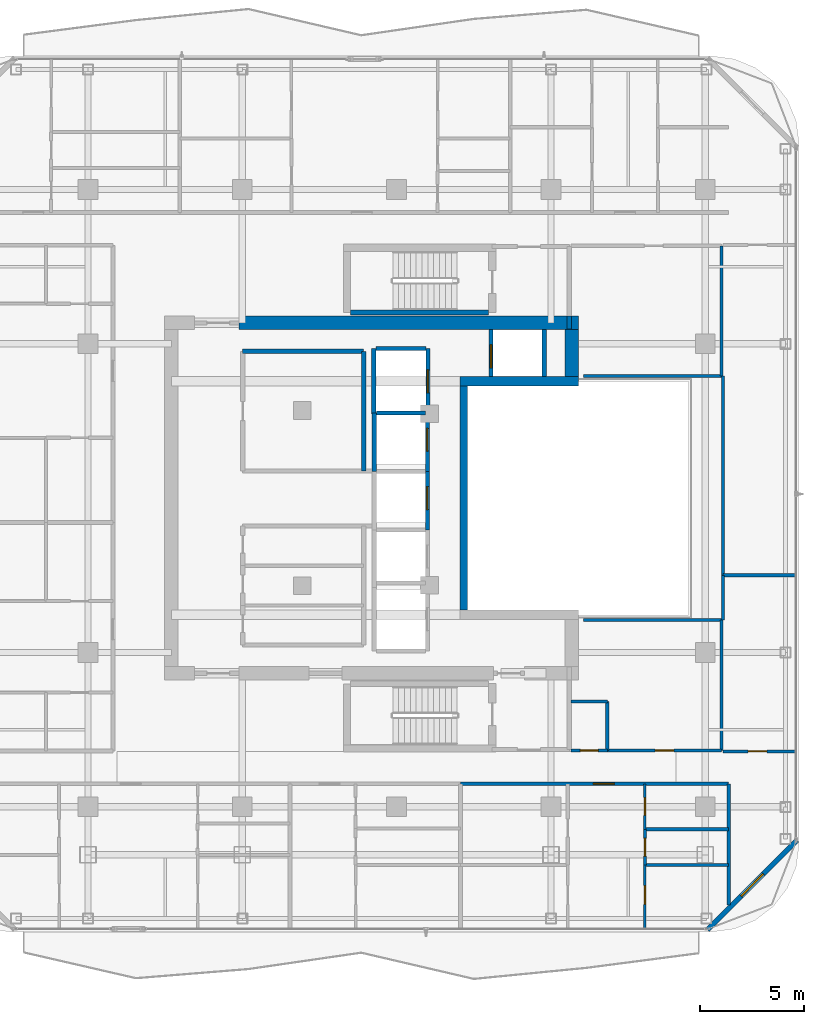
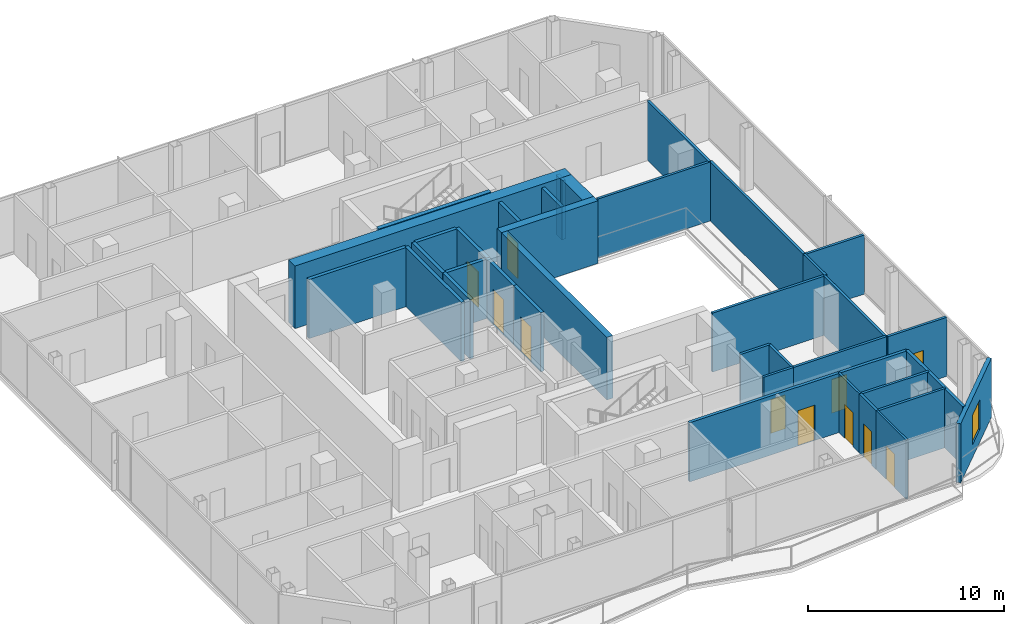
# One storey, part 19 of 26: 37 walls, 11 doors, 1 window, 12 openings.
"""IFC4 building model written with IfcOpenShell, lengths in metres."""

from ifc_helpers import new_model, si_unit, direction, frame, frame_2d, origin, place, context, subcontext, project, spatial, rectangle, extrude, material, layer, layer_set, type_object, element, fill, save


model = new_model("IFC4")

# Units and contexts
model_context = context("Model", 3, precision=1e-05, world=origin(), true_north=direction((0.0, 1.0)))
body_context = subcontext(model_context, "Body", "Model", "MODEL_VIEW")
ifc_project = project(units=[si_unit("LENGTHUNIT", "METRE"), si_unit("AREAUNIT", "SQUARE_METRE"), si_unit("VOLUMEUNIT", "CUBIC_METRE"), si_unit("PLANEANGLEUNIT", "RADIAN"), si_unit("MASSUNIT", "GRAM", prefix="KILO")], contexts=[model_context])

# Site, building, storey
site_placement = place(None, origin())
site = spatial("IfcSite", under=ifc_project, at=site_placement, CompositionType="ELEMENT")
building_placement = place(site_placement, origin())
building = spatial("IfcBuilding", under=site, at=building_placement, Name="Khorvyn Point Tower", CompositionType="ELEMENT")
storey_placement = place(building_placement, frame((0.0, 0.0, 289.800048828125)))
storey = spatial("IfcBuildingStorey", under=building, at=storey_placement, Name="L71", CompositionType="ELEMENT", Elevation=289.800048828125)

# Wall, opening, door
ifc_material_1 = material(Name="Double acoustic gypsum on twin steel stud", Category="steel")
ifc_layer_1 = layer(ifc_material_1, 0.179931640625)
ifc_layer_set_1 = layer_set([ifc_layer_1], Name="Acoustic Double-Stud Apartment Demising Wall 180")
wall_type_1 = type_object("IfcWallType", Name="Acoustic Double-Stud Apartment Demising Wall 180", PredefinedType="PARTITIONING", material=ifc_layer_set_1)
wall_1_placement = place(storey_placement, frame((3.06298828125, -13.699951171875, 0.0), z_axis=(0.0, 0.0, 1.0), x_axis=(1.0, 0.0, 0.0)))
wall_1 = element("IfcWall", 1, at=wall_1_placement, inside=storey, type_object=wall_type_1, Name="Wall", PredefinedType="PARTITIONING", context=body_context, shape_type="SweptSolid", body=[
    extrude(rectangle(XDim=12.85693359375, YDim=0.179931640625, at=frame_2d((6.428466796875, 0.0))), origin(), (0.0, 0.0, 1.0), 3.679931640625),
])
opening_1_placement = place(wall_1_placement, frame((6.372314453125, 0.0, 0.0)))
opening_1 = element("IfcOpeningElement", 2, at=opening_1_placement, cuts=wall_1, Name="Opening ID-AP60", PredefinedType="OPENING", context=body_context, shape_type="SweptSolid", body=[
    extrude(rectangle(XDim=1.0, YDim=2.199951171875, at=frame_2d((0.5, 1.10009765625))), frame((0.0, 0.099853515625, 0.0), z_axis=(0.0, -1.0, 0.0), x_axis=(1.0, 0.0, 0.0)), (0.0, 0.0, 1.0), 0.199951171875),
])
ifc_material_2 = material(Name="Engineered hardwood fire-rated leaf", Category="wood")
door_type_1 = type_object("IfcDoorType", Name="Acoustic Solid-Core Timber Apartment Entrance Door 1000x2200", OperationType="NOTDEFINED", PredefinedType="DOOR", material=ifc_material_2)
door_1_placement = place(opening_1_placement, origin())
door_1 = element("IfcDoor", 3, at=door_1_placement, inside=storey, type_object=door_type_1, Name="Door", OperationType="SINGLE_SWING_LEFT", OverallHeight=2.199951171875, OverallWidth=1.0, PredefinedType="DOOR", context=body_context, shape_type="SweptSolid", body=[
    extrude(rectangle(XDim=1.0, YDim=2.199951171875, at=frame_2d((0.5, 1.10009765625))), frame((0.0, 0.02490234375, 0.0), z_axis=(0.0, -1.0, 0.0), x_axis=(1.0, 0.0, 0.0)), (0.0, 0.0, 1.0), 0.050048828125),
])
fill(opening_1, door_1)

# Wall
wall_2_placement = place(storey_placement, frame((15.919921875, -19.510009765625, 0.0), z_axis=(0.0, 0.0, 1.0), x_axis=(0.0, 1.0, 0.0)))
element("IfcWall", 4, at=wall_2_placement, inside=storey, type_object=wall_type_1, Name="Wall", PredefinedType="PARTITIONING", context=body_context, shape_type="SweptSolid", body=[
    extrude(rectangle(XDim=5.81005859375, YDim=0.179931640625, at=frame_2d((2.905029296875, 0.0))), origin(), (0.0, 0.0, 1.0), 3.679931640625),
])

# Wall, opening, window
ifc_material_3 = material(Name="Pale anodised aluminium rainscreen on steel stud", Category="steel")
ifc_layer_2 = layer(ifc_material_3, 0.239990234375)
ifc_layer_set_2 = layer_set([ifc_layer_2], Name="Anodised Aluminium Insulated Corner Spandrel Wall 240")
wall_type_2 = type_object("IfcWallType", Name="Anodised Aluminium Insulated Corner Spandrel Wall 240", PredefinedType="SOLIDWALL", material=ifc_layer_set_2)
wall_3_placement = place(storey_placement, frame((19.1923828125, -16.40771484375, 0.0), z_axis=(0.0, 0.0, 1.0), x_axis=(-0.707106781187, -0.707106781187, 0.0)))
wall_3 = element("IfcWall", 5, at=wall_3_placement, inside=storey, type_object=wall_type_2, Name="L71 Rounded Corner Wall SE", PredefinedType="SOLIDWALL", context=body_context, shape_type="SweptSolid", body=[
    extrude(rectangle(XDim=6.059326171875, YDim=0.239990234375, at=frame_2d((3.02978515625, 0.0))), origin(), (0.0, 0.0, 1.0), 3.679931640625),
])
opening_2_placement = place(wall_3_placement, frame((2.27978515625, 0.0, 0.800048828125)))
opening_2 = element("IfcOpeningElement", 6, at=opening_2_placement, cuts=wall_3, Name="Opening WN-1518", PredefinedType="OPENING", context=body_context, shape_type="SweptSolid", body=[
    extrude(rectangle(XDim=1.5, YDim=1.85009765625, at=frame_2d((0.75, 0.925048828125))), frame((0.0, 0.1298828125, 0.0), z_axis=(0.0, -1.0, 0.0), x_axis=(1.0, 0.0, 0.0)), (0.0, 0.0, 1.0), 0.260009765625),
])
ifc_material_4 = material(Name="Anodised aluminium 6063-T6 and laminated Low-E glass", Category="aluminium")
window_type = type_object("IfcWindowType", Name="Anodised Aluminium Rounded-Corner Panoramic Window 1500x1850", PartitioningType="SINGLE_PANEL", PredefinedType="WINDOW", material=ifc_material_4)
window_placement = place(opening_2_placement, origin())
window = element("IfcWindow", 7, at=window_placement, inside=storey, type_object=window_type, Name="L71 Corner Panoramic Window SE", OverallHeight=1.85009765625, OverallWidth=1.5, PartitioningType="SINGLE_PANEL", PredefinedType="WINDOW", context=body_context, shape_type="SweptSolid", body=[
    extrude(rectangle(XDim=1.5, YDim=1.85009765625, at=frame_2d((0.75, 0.925048828125))), frame((0.0, 0.030029296875, 0.0), z_axis=(0.0, -1.0, 0.0), x_axis=(1.0, 0.0, 0.0)), (0.0, 0.0, 1.0), 0.06005859375),
])
fill(opening_2, window)

# Walls
ifc_material_5 = material(Name="Concrete C40/50", Category="concrete")
ifc_layer_3 = layer(ifc_material_5, 0.449951171875)
ifc_layer_set_3 = layer_set([ifc_layer_3], Name="Concrete C40/50 Core Shear Wall 450")
wall_type_3 = type_object("IfcWallType", Name="Concrete C40/50 Core Shear Wall 450", PredefinedType="SHEAR", material=ifc_layer_set_3)
wall_4_placement = place(storey_placement, frame((3.044921875, 5.60009765625, 0.0), z_axis=(0.0, 0.0, 1.0), x_axis=(1.0, 0.0, 0.0)))
element("IfcWall", 8, at=wall_4_placement, inside=storey, type_object=wall_type_3, Name="Wall", PredefinedType="SHEAR", context=body_context, shape_type="SweptSolid", body=[
    extrude(rectangle(XDim=5.68017578125, YDim=0.449951171875, at=frame_2d((2.840087890625, 0.0))), origin(), (0.0, 0.0, 1.0), 3.89990234375),
])
ifc_layer_4 = layer(ifc_material_5, 0.64990234375)
ifc_layer_set_4 = layer_set([ifc_layer_4], Name="Concrete C40/50 Core Shear Wall 650")
wall_type_4 = type_object("IfcWallType", Name="Concrete C40/50 Core Shear Wall 650", PredefinedType="SHEAR", material=ifc_layer_set_4)
wall_5_placement = place(storey_placement, frame((-7.550048828125, 8.39990234375, 0.0), z_axis=(0.0, 0.0, 1.0), x_axis=(1.0, 0.0, 0.0)))
element("IfcWall", 9, at=wall_5_placement, inside=storey, type_object=wall_type_4, Name="Wall", PredefinedType="SHEAR", context=body_context, shape_type="SweptSolid", body=[
    extrude(rectangle(XDim=16.275146484375, YDim=0.64990234375, at=frame_2d((8.1376953125, 0.0))), origin(), (0.0, 0.0, 1.0), 3.89990234375),
])
wall_6_placement = place(storey_placement, frame((8.39990234375, 5.824951171875, 0.0), z_axis=(0.0, 0.0, 1.0), x_axis=(0.0, 1.0, 0.0)))
element("IfcWall", 10, at=wall_6_placement, inside=storey, type_object=wall_type_4, Name="Wall", PredefinedType="SHEAR", context=body_context, shape_type="SweptSolid", body=[
    extrude(rectangle(XDim=2.25, YDim=0.64990234375, at=frame_2d((1.125, 0.0))), origin(), (0.0, 0.0, 1.0), 3.89990234375),
])
ifc_layer_5 = layer(ifc_material_5, 0.199951171875)
ifc_layer_set_5 = layer_set([ifc_layer_5], Name="Concrete C40/50 Fire-Lobby Compartment Wall 200")
wall_type_5 = type_object("IfcWallType", Name="Concrete C40/50 Fire-Lobby Compartment Wall 200", PredefinedType="SOLIDWALL", material=ifc_layer_set_5)
wall_7_placement = place(storey_placement, frame((-1.580078125, 1.300048828125, 0.0), z_axis=(0.0, 0.0, 1.0), x_axis=(0.0, 1.0, 0.0)))
element("IfcWall", 11, at=wall_7_placement, inside=storey, type_object=wall_type_5, Name="Wall", PredefinedType="SOLIDWALL", context=body_context, shape_type="SweptSolid", body=[
    extrude(rectangle(XDim=5.739990234375, YDim=0.199951171875, at=frame_2d((2.8701171875, 0.0))), origin(), (0.0, 0.0, 1.0), 3.679931640625),
])
wall_8_placement = place(storey_placement, frame((-7.3798828125, 7.0400390625, 0.0), z_axis=(0.0, 0.0, 1.0), x_axis=(1.0, 0.0, 0.0)))
element("IfcWall", 12, at=wall_8_placement, inside=storey, type_object=wall_type_5, Name="Wall", PredefinedType="SOLIDWALL", context=body_context, shape_type="SweptSolid", body=[
    extrude(rectangle(XDim=5.7998046875, YDim=0.199951171875, at=frame_2d((2.89990234375, 0.0))), origin(), (0.0, 0.0, 1.0), 3.679931640625),
])
wall_9_placement = place(storey_placement, frame((8.280029296875, 8.10009765625, 0.0), z_axis=(0.0, 0.0, 1.0), x_axis=(0.0, 1.0, 0.0)))
element("IfcWall", 13, at=wall_9_placement, inside=storey, type_object=wall_type_5, Name="Wall", PredefinedType="SOLIDWALL", context=body_context, shape_type="SweptSolid", body=[
    extrude(rectangle(XDim=0.625, YDim=0.199951171875, at=frame_2d((0.3125, 0.0))), origin(), (0.0, 0.0, 1.0), 3.679931640625),
])
ifc_layer_6 = layer(ifc_material_5, 0.25)
ifc_layer_set_6 = layer_set([ifc_layer_6], Name="Concrete C40/50 Stair Inner Cheek Structural Wall 250")
wall_type_6 = type_object("IfcWallType", Name="Concrete C40/50 Stair Inner Cheek Structural Wall 250", PredefinedType="SHEAR", material=ifc_layer_set_6)
wall_10_placement = place(storey_placement, frame((-2.199951171875, 8.89990234375, 0.0), z_axis=(0.0, 0.0, 1.0), x_axis=(1.0, 0.0, 0.0)))
element("IfcWall", 14, at=wall_10_placement, inside=storey, type_object=wall_type_6, Name="Wall", PredefinedType="SHEAR", context=body_context, shape_type="SweptSolid", body=[
    extrude(rectangle(XDim=6.599853515625, YDim=0.25, at=frame_2d((3.2998046875, 0.0))), origin(), (0.0, 0.0, 1.0), 3.89990234375),
])
ifc_layer_7 = layer(ifc_material_5, 0.35009765625)
ifc_layer_set_7 = layer_set([ifc_layer_7], Name="Concrete C40/50 Stair Shaft Structural Wall 350")
wall_type_7 = type_object("IfcWallType", Name="Concrete C40/50 Stair Shaft Structural Wall 350", PredefinedType="SHEAR", material=ifc_layer_set_7)
wall_11_placement = place(storey_placement, frame((3.219970703125, -5.375, 0.0), z_axis=(0.0, 0.0, 1.0), x_axis=(0.0, 1.0, 0.0)))
element("IfcWall", 15, at=wall_11_placement, inside=storey, type_object=wall_type_7, Name="Wall", PredefinedType="SHEAR", context=body_context, shape_type="SweptSolid", body=[
    extrude(rectangle(XDim=10.75, YDim=0.35009765625, at=frame_2d((5.375, 0.0))), origin(), (0.0, 0.0, 1.0), 3.89990234375),
])

# Wall, opening, door
ifc_layer_8 = layer(ifc_material_5, 0.199951171875)
ifc_layer_set_8 = layer_set([ifc_layer_8], Name="Concrete C40/50 Structural Hoistway and Stair Shaft Wall 200")
wall_type_8 = type_object("IfcWallType", Name="Concrete C40/50 Structural Hoistway and Stair Shaft Wall 200", PredefinedType="SHEAR", material=ifc_layer_set_8)
wall_12_placement = place(storey_placement, frame((1.47509765625, -1.52490234375, 0.0), z_axis=(0.0, 0.0, 1.0), x_axis=(0.0, 1.0, 0.0)))
wall_12 = element("IfcWall", 16, at=wall_12_placement, inside=storey, type_object=wall_type_8, Name="Wall", PredefinedType="SHEAR", context=body_context, shape_type="SweptSolid", body=[
    extrude(rectangle(XDim=2.7998046875, YDim=0.199951171875, at=frame_2d((1.39990234375, 0.0))), origin(), (0.0, 0.0, 1.0), 3.679931640625),
])
opening_3_placement = place(wall_12_placement, frame((0.97509765625, 0.0, 0.0)))
opening_3 = element("IfcOpeningElement", 17, at=opening_3_placement, cuts=wall_12, Name="Opening LD-1122", PredefinedType="OPENING", context=body_context, shape_type="SweptSolid", body=[
    extrude(rectangle(XDim=1.10009765625, YDim=2.199951171875, at=frame_2d((0.550048828125, 1.10009765625))), frame((0.0, 0.10986328125, 0.0), z_axis=(0.0, -1.0, 0.0), x_axis=(1.0, 0.0, 0.0)), (0.0, 0.0, 1.0), 0.219970703125),
])
ifc_material_6 = material(Name="Stainless steel 1.4301", Category="steel")
door_type_2 = type_object("IfcDoorType", Name="Stainless Steel Automatic Sliding Lift Landing Door 1100x2200", OperationType="SLIDING_TO_LEFT", PredefinedType="DOOR", material=ifc_material_6)
door_2_placement = place(opening_3_placement, origin())
door_2 = element("IfcDoor", 18, at=door_2_placement, inside=storey, type_object=door_type_2, Name="L71 RH-02 Sliding Lift Landing Door", OperationType="SLIDING_TO_LEFT", OverallHeight=2.199951171875, OverallWidth=1.10009765625, PredefinedType="DOOR", context=body_context, shape_type="SweptSolid", body=[
    extrude(rectangle(XDim=1.10009765625, YDim=2.199951171875, at=frame_2d((0.550048828125, 1.10009765625))), frame((0.0, 0.02490234375, 0.0), z_axis=(0.0, -1.0, 0.0), x_axis=(1.0, 0.0, 0.0)), (0.0, 0.0, 1.0), 0.050048828125),
])
fill(opening_3, door_2)

# Wall
wall_13_placement = place(storey_placement, frame((-1.074951171875, 1.27490234375, 0.0), z_axis=(0.0, 0.0, 1.0), x_axis=(0.0, 1.0, 0.0)))
element("IfcWall", 19, at=wall_13_placement, inside=storey, type_object=wall_type_8, Name="Wall", PredefinedType="SHEAR", context=body_context, shape_type="SweptSolid", body=[
    extrude(rectangle(XDim=2.800048828125, YDim=0.199951171875, at=frame_2d((1.39990234375, 0.0))), origin(), (0.0, 0.0, 1.0), 3.679931640625),
])

# Wall, opening, door
wall_14_placement = place(storey_placement, frame((1.47509765625, 1.27490234375, 0.0), z_axis=(0.0, 0.0, 1.0), x_axis=(0.0, 1.0, 0.0)))
wall_14 = element("IfcWall", 20, at=wall_14_placement, inside=storey, type_object=wall_type_8, Name="Wall", PredefinedType="SHEAR", context=body_context, shape_type="SweptSolid", body=[
    extrude(rectangle(XDim=2.800048828125, YDim=0.199951171875, at=frame_2d((1.39990234375, 0.0))), origin(), (0.0, 0.0, 1.0), 3.679931640625),
])
opening_4_placement = place(wall_14_placement, frame((0.97509765625, 0.0, 0.0)))
opening_4 = element("IfcOpeningElement", 21, at=opening_4_placement, cuts=wall_14, Name="Opening LD-1122", PredefinedType="OPENING", context=body_context, shape_type="SweptSolid", body=[
    extrude(rectangle(XDim=1.10009765625, YDim=2.199951171875, at=frame_2d((0.550048828125, 1.10009765625))), frame((0.0, 0.10986328125, 0.0), z_axis=(0.0, -1.0, 0.0), x_axis=(1.0, 0.0, 0.0)), (0.0, 0.0, 1.0), 0.219970703125),
])
door_3_placement = place(opening_4_placement, origin())
door_3 = element("IfcDoor", 22, at=door_3_placement, inside=storey, type_object=door_type_2, Name="L71 RH-03 Sliding Lift Landing Door", OperationType="SLIDING_TO_LEFT", OverallHeight=2.199951171875, OverallWidth=1.10009765625, PredefinedType="DOOR", context=body_context, shape_type="SweptSolid", body=[
    extrude(rectangle(XDim=1.10009765625, YDim=2.199951171875, at=frame_2d((0.550048828125, 1.10009765625))), frame((0.0, 0.02490234375, 0.0), z_axis=(0.0, -1.0, 0.0), x_axis=(1.0, 0.0, 0.0)), (0.0, 0.0, 1.0), 0.050048828125),
])
fill(opening_4, door_3)

# Walls
wall_15_placement = place(storey_placement, frame((-0.97509765625, 4.074951171875, 0.0), z_axis=(0.0, 0.0, 1.0), x_axis=(1.0, 0.0, 0.0)))
element("IfcWall", 23, at=wall_15_placement, inside=storey, type_object=wall_type_8, Name="Wall", PredefinedType="SHEAR", context=body_context, shape_type="SweptSolid", body=[
    extrude(rectangle(XDim=2.35009765625, YDim=0.199951171875, at=frame_2d((1.175048828125, 0.0))), origin(), (0.0, 0.0, 1.0), 3.679931640625),
])
wall_16_placement = place(storey_placement, frame((-1.10009765625, 4.02490234375, 0.0), z_axis=(0.0, 0.0, 1.0), x_axis=(0.0, 1.0, 0.0)))
element("IfcWall", 24, at=wall_16_placement, inside=storey, type_object=wall_type_8, Name="Wall", PredefinedType="SHEAR", context=body_context, shape_type="SweptSolid", body=[
    extrude(rectangle(XDim=3.150146484375, YDim=0.199951171875, at=frame_2d((1.5751953125, 0.0))), origin(), (0.0, 0.0, 1.0), 3.679931640625),
])

# Wall, opening, door
wall_17_placement = place(storey_placement, frame((1.5, 4.02490234375, 0.0), z_axis=(0.0, 0.0, 1.0), x_axis=(0.0, 1.0, 0.0)))
wall_17 = element("IfcWall", 25, at=wall_17_placement, inside=storey, type_object=wall_type_8, Name="Wall", PredefinedType="SHEAR", context=body_context, shape_type="SweptSolid", body=[
    extrude(rectangle(XDim=3.150146484375, YDim=0.199951171875, at=frame_2d((1.5751953125, 0.0))), origin(), (0.0, 0.0, 1.0), 3.679931640625),
])
opening_5_placement = place(wall_17_placement, frame((1.02490234375, 0.0, 0.0)))
opening_5 = element("IfcOpeningElement", 26, at=opening_5_placement, cuts=wall_17, Name="Opening LD-1122", PredefinedType="OPENING", context=body_context, shape_type="SweptSolid", body=[
    extrude(rectangle(XDim=1.10009765625, YDim=2.199951171875, at=frame_2d((0.550048828125, 1.10009765625))), frame((0.0, 0.10986328125, 0.0), z_axis=(0.0, -1.0, 0.0), x_axis=(1.0, 0.0, 0.0)), (0.0, 0.0, 1.0), 0.219970703125),
])
door_4_placement = place(opening_5_placement, origin())
door_4 = element("IfcDoor", 27, at=door_4_placement, inside=storey, type_object=door_type_2, Name="L71 SV-01 Sliding Lift Landing Door", OperationType="SLIDING_TO_LEFT", OverallHeight=2.199951171875, OverallWidth=1.10009765625, PredefinedType="DOOR", context=body_context, shape_type="SweptSolid", body=[
    extrude(rectangle(XDim=1.10009765625, YDim=2.199951171875, at=frame_2d((0.550048828125, 1.10009765625))), frame((0.0, 0.02490234375, 0.0), z_axis=(0.0, -1.0, 0.0), x_axis=(1.0, 0.0, 0.0)), (0.0, 0.0, 1.0), 0.050048828125),
])
fill(opening_5, door_4)

# Wall
wall_18_placement = place(storey_placement, frame((-1.0, 7.175048828125, 0.0), z_axis=(0.0, 0.0, 1.0), x_axis=(1.0, 0.0, 0.0)))
element("IfcWall", 28, at=wall_18_placement, inside=storey, type_object=wall_type_8, Name="Wall", PredefinedType="SHEAR", context=body_context, shape_type="SweptSolid", body=[
    extrude(rectangle(XDim=2.39990234375, YDim=0.199951171875, at=frame_2d((1.199951171875, 0.0))), origin(), (0.0, 0.0, 1.0), 3.679931640625),
])

# Wall, opening, door
wall_19_placement = place(storey_placement, frame((4.52490234375, 5.824951171875, 0.0), z_axis=(0.0, 0.0, 1.0), x_axis=(0.0, 1.0, 0.0)))
wall_19 = element("IfcWall", 29, at=wall_19_placement, inside=storey, type_object=wall_type_8, Name="Wall", PredefinedType="SHEAR", context=body_context, shape_type="SweptSolid", body=[
    extrude(rectangle(XDim=2.25, YDim=0.199951171875, at=frame_2d((1.125, 0.0))), origin(), (0.0, 0.0, 1.0), 3.679931640625),
])
opening_6_placement = place(wall_19_placement, frame((0.425048828125, 0.0, 0.0)))
opening_6 = element("IfcOpeningElement", 30, at=opening_6_placement, cuts=wall_19, Name="Opening LD-1122", PredefinedType="OPENING", context=body_context, shape_type="SweptSolid", body=[
    extrude(rectangle(XDim=1.10009765625, YDim=2.199951171875, at=frame_2d((0.550048828125, 1.10009765625))), frame((0.0, 0.10986328125, 0.0), z_axis=(0.0, -1.0, 0.0), x_axis=(1.0, 0.0, 0.0)), (0.0, 0.0, 1.0), 0.219970703125),
])
door_5_placement = place(opening_6_placement, origin())
door_5 = element("IfcDoor", 31, at=door_5_placement, inside=storey, type_object=door_type_2, Name="L71 FF-02 Sliding Lift Landing Door", OperationType="SLIDING_TO_LEFT", OverallHeight=2.199951171875, OverallWidth=1.10009765625, PredefinedType="DOOR", context=body_context, shape_type="SweptSolid", body=[
    extrude(rectangle(XDim=1.10009765625, YDim=2.199951171875, at=frame_2d((0.550048828125, 1.10009765625))), frame((0.0, 0.02490234375, 0.0), z_axis=(0.0, -1.0, 0.0), x_axis=(1.0, 0.0, 0.0)), (0.0, 0.0, 1.0), 0.050048828125),
])
fill(opening_6, door_5)

# Wall
wall_20_placement = place(storey_placement, frame((7.074951171875, 5.824951171875, 0.0), z_axis=(0.0, 0.0, 1.0), x_axis=(0.0, 1.0, 0.0)))
element("IfcWall", 32, at=wall_20_placement, inside=storey, type_object=wall_type_8, Name="Wall", PredefinedType="SHEAR", context=body_context, shape_type="SweptSolid", body=[
    extrude(rectangle(XDim=2.25, YDim=0.199951171875, at=frame_2d((1.125, 0.0))), origin(), (0.0, 0.0, 1.0), 3.679931640625),
])

# Wall, opening, door
ifc_material_7 = material(Name="Gypsum plasterboard on steel stud", Category="steel")
ifc_layer_9 = layer(ifc_material_7, 0.1201171875)
ifc_layer_set_9 = layer_set([ifc_layer_9], Name="Gypsum Acoustic Stud Room Partition Wall 120")
wall_type_9 = type_object("IfcWallType", Name="Gypsum Acoustic Stud Room Partition Wall 120", PredefinedType="PARTITIONING", material=ifc_layer_set_9)
wall_21_placement = place(storey_placement, frame((11.907958984375, -15.8779296875, 0.0), z_axis=(0.0, 0.0, 1.0), x_axis=(0.0, 1.0, 0.0)))
wall_21 = element("IfcWall", 33, at=wall_21_placement, inside=storey, type_object=wall_type_9, Name="Wall", PredefinedType="PARTITIONING", context=body_context, shape_type="SweptSolid", body=[
    extrude(rectangle(XDim=2.177978515625, YDim=0.1201171875, at=frame_2d((1.0888671875, 0.0))), origin(), (0.0, 0.0, 1.0), 3.679931640625),
])
opening_7_placement = place(wall_21_placement, frame((0.6640625, 0.0, 0.0)))
opening_7 = element("IfcOpeningElement", 34, at=opening_7_placement, cuts=wall_21, Name="Opening ID-WC85", PredefinedType="OPENING", context=body_context, shape_type="SweptSolid", body=[
    extrude(rectangle(XDim=0.85009765625, YDim=2.10009765625, at=frame_2d((0.425048828125, 1.050048828125))), frame((0.0, 0.070068359375, 0.0), z_axis=(0.0, -1.0, 0.0), x_axis=(1.0, 0.0, 0.0)), (0.0, 0.0, 1.0), 0.14013671875),
])
ifc_material_8 = material(Name="High-pressure laminate on moisture-resistant core", Category="wood")
door_type_3 = type_object("IfcDoorType", Name="Moisture-Resistant Accessible Washroom Door 850x2100", OperationType="NOTDEFINED", PredefinedType="DOOR", material=ifc_material_8)
door_6_placement = place(opening_7_placement, origin())
door_6 = element("IfcDoor", 35, at=door_6_placement, inside=storey, type_object=door_type_3, Name="Door", OperationType="SINGLE_SWING_LEFT", OverallHeight=2.10009765625, OverallWidth=0.85009765625, PredefinedType="DOOR", context=body_context, shape_type="SweptSolid", body=[
    extrude(rectangle(XDim=0.85009765625, YDim=2.10009765625, at=frame_2d((0.425048828125, 1.050048828125))), frame((0.0, 0.02490234375, 0.0), z_axis=(0.0, -1.0, 0.0), x_axis=(1.0, 0.0, 0.0)), (0.0, 0.0, 1.0), 0.050048828125),
])
fill(opening_7, door_6)

wall_22_placement = place(storey_placement, frame((11.907958984375, -20.6298828125, 0.0), z_axis=(0.0, 0.0, 1.0), x_axis=(0.0, 1.0, 0.0)))
wall_22 = element("IfcWall", 36, at=wall_22_placement, inside=storey, type_object=wall_type_9, Name="Wall", PredefinedType="PARTITIONING", context=body_context, shape_type="SweptSolid", body=[
    extrude(rectangle(XDim=3.039794921875, YDim=0.1201171875, at=frame_2d((1.52001953125, 0.0))), origin(), (0.0, 0.0, 1.0), 3.679931640625),
])
opening_8_placement = place(wall_22_placement, frame((1.152587890625, 0.0, 0.0)))
opening_8 = element("IfcOpeningElement", 37, at=opening_8_placement, cuts=wall_22, Name="Opening ID-RM90", PredefinedType="OPENING", context=body_context, shape_type="SweptSolid", body=[
    extrude(rectangle(XDim=0.89990234375, YDim=2.10009765625, at=frame_2d((0.449951171875, 1.050048828125))), frame((0.0, 0.070068359375, 0.0), z_axis=(0.0, -1.0, 0.0), x_axis=(1.0, 0.0, 0.0)), (0.0, 0.0, 1.0), 0.14013671875),
])
ifc_material_9 = material(Name="Engineered oak veneer timber", Category="wood")
door_type_4 = type_object("IfcDoorType", Name="Flush Engineered Timber Room Door 900x2100", OperationType="NOTDEFINED", PredefinedType="DOOR", material=ifc_material_9)
door_7_placement = place(opening_8_placement, origin())
door_7 = element("IfcDoor", 38, at=door_7_placement, inside=storey, type_object=door_type_4, Name="Door", OperationType="SINGLE_SWING_RIGHT", OverallHeight=2.10009765625, OverallWidth=0.89990234375, PredefinedType="DOOR", context=body_context, shape_type="SweptSolid", body=[
    extrude(rectangle(XDim=0.89990234375, YDim=2.10009765625, at=frame_2d((0.449951171875, 1.050048828125))), frame((0.0, 0.02490234375, 0.0), z_axis=(0.0, -1.0, 0.0), x_axis=(1.0, 0.0, 0.0)), (0.0, 0.0, 1.0), 0.050048828125),
])
fill(opening_8, door_7)

ifc_material_10 = material(Name="Moisture-resistant gypsum and cement board", Category="gypsum")
ifc_layer_10 = layer(ifc_material_10, 0.14990234375)
ifc_layer_set_10 = layer_set([ifc_layer_10], Name="Moisture-Resistant Wet-Room Partition Wall 150")
wall_type_10 = type_object("IfcWallType", Name="Moisture-Resistant Wet-Room Partition Wall 150", PredefinedType="PARTITIONING", material=ifc_layer_set_10)
wall_23_placement = place(storey_placement, frame((8.360107421875, -12.10009765625, 0.0), z_axis=(0.0, 0.0, 1.0), x_axis=(1.0, 0.0, 0.0)))
wall_23 = element("IfcWall", 39, at=wall_23_placement, inside=storey, type_object=wall_type_10, Name="Wall", PredefinedType="PARTITIONING", context=body_context, shape_type="SweptSolid", body=[
    extrude(rectangle(XDim=1.739990234375, YDim=0.14990234375, at=frame_2d((0.8701171875, 0.0))), origin(), (0.0, 0.0, 1.0), 3.679931640625),
])
opening_9_placement = place(wall_23_placement, frame((0.445068359375, 0.0, 0.0)))
opening_9 = element("IfcOpeningElement", 40, at=opening_9_placement, cuts=wall_23, Name="Opening ID-WC85", PredefinedType="OPENING", context=body_context, shape_type="SweptSolid", body=[
    extrude(rectangle(XDim=0.85009765625, YDim=2.10009765625, at=frame_2d((0.425048828125, 1.050048828125))), frame((0.0, 0.0849609375, 0.0), z_axis=(0.0, -1.0, 0.0), x_axis=(1.0, 0.0, 0.0)), (0.0, 0.0, 1.0), 0.169921875),
])
door_8_placement = place(opening_9_placement, origin())
door_8 = element("IfcDoor", 41, at=door_8_placement, inside=storey, type_object=door_type_3, Name="Door", OperationType="SINGLE_SWING_LEFT", OverallHeight=2.10009765625, OverallWidth=0.85009765625, PredefinedType="DOOR", context=body_context, shape_type="SweptSolid", body=[
    extrude(rectangle(XDim=0.85009765625, YDim=2.10009765625, at=frame_2d((0.425048828125, 1.050048828125))), frame((0.0, 0.02490234375, 0.0), z_axis=(0.0, -1.0, 0.0), x_axis=(1.0, 0.0, 0.0)), (0.0, 0.0, 1.0), 0.050048828125),
])
fill(opening_9, door_8)

wall_24_placement = place(storey_placement, frame((10.10009765625, -12.10009765625, 0.0), z_axis=(0.0, 0.0, 1.0), x_axis=(1.0, 0.0, 0.0)))
wall_24 = element("IfcWall", 42, at=wall_24_placement, inside=storey, type_object=wall_type_10, Name="Wall", PredefinedType="PARTITIONING", context=body_context, shape_type="SweptSolid", body=[
    extrude(rectangle(XDim=5.47998046875, YDim=0.14990234375, at=frame_2d((2.739990234375, 0.0))), origin(), (0.0, 0.0, 1.0), 3.679931640625),
])
opening_10_placement = place(wall_24_placement, frame((2.2900390625, 0.0, 0.0)))
opening_10 = element("IfcOpeningElement", 43, at=opening_10_placement, cuts=wall_24, Name="Opening ID-RM90", PredefinedType="OPENING", context=body_context, shape_type="SweptSolid", body=[
    extrude(rectangle(XDim=0.89990234375, YDim=2.10009765625, at=frame_2d((0.449951171875, 1.050048828125))), frame((0.0, 0.0849609375, 0.0), z_axis=(0.0, -1.0, 0.0), x_axis=(1.0, 0.0, 0.0)), (0.0, 0.0, 1.0), 0.169921875),
])
door_9_placement = place(opening_10_placement, origin())
door_9 = element("IfcDoor", 44, at=door_9_placement, inside=storey, type_object=door_type_4, Name="Door", OperationType="SINGLE_SWING_RIGHT", OverallHeight=2.10009765625, OverallWidth=0.89990234375, PredefinedType="DOOR", context=body_context, shape_type="SweptSolid", body=[
    extrude(rectangle(XDim=0.89990234375, YDim=2.10009765625, at=frame_2d((0.449951171875, 1.050048828125))), frame((0.0, 0.02490234375, 0.0), z_axis=(0.0, -1.0, 0.0), x_axis=(1.0, 0.0, 0.0)), (0.0, 0.0, 1.0), 0.050048828125),
])
fill(opening_10, door_9)

wall_25_placement = place(storey_placement, frame((11.907958984375, -17.590087890625, 0.0), z_axis=(0.0, 0.0, 1.0), x_axis=(0.0, 1.0, 0.0)))
wall_25 = element("IfcWall", 45, at=wall_25_placement, inside=storey, type_object=wall_type_10, Name="Wall", PredefinedType="PARTITIONING", context=body_context, shape_type="SweptSolid", body=[
    extrude(rectangle(XDim=1.712158203125, YDim=0.14990234375, at=frame_2d((0.85595703125, 0.0))), origin(), (0.0, 0.0, 1.0), 3.679931640625),
])
opening_11_placement = place(wall_25_placement, frame((0.430908203125, 0.0, 0.0)))
opening_11 = element("IfcOpeningElement", 46, at=opening_11_placement, cuts=wall_25, Name="Opening ID-WC85", PredefinedType="OPENING", context=body_context, shape_type="SweptSolid", body=[
    extrude(rectangle(XDim=0.85009765625, YDim=2.10009765625, at=frame_2d((0.425048828125, 1.050048828125))), frame((0.0, 0.0849609375, 0.0), z_axis=(0.0, -1.0, 0.0), x_axis=(1.0, 0.0, 0.0)), (0.0, 0.0, 1.0), 0.169921875),
])
door_10_placement = place(opening_11_placement, origin())
door_10 = element("IfcDoor", 47, at=door_10_placement, inside=storey, type_object=door_type_3, Name="Door", OperationType="SINGLE_SWING_RIGHT", OverallHeight=2.10009765625, OverallWidth=0.85009765625, PredefinedType="DOOR", context=body_context, shape_type="SweptSolid", body=[
    extrude(rectangle(XDim=0.85009765625, YDim=2.10009765625, at=frame_2d((0.425048828125, 1.050048828125))), frame((0.0, 0.02490234375, 0.0), z_axis=(0.0, -1.0, 0.0), x_axis=(1.0, 0.0, 0.0)), (0.0, 0.0, 1.0), 0.050048828125),
])
fill(opening_11, door_10)

wall_26_placement = place(storey_placement, frame((15.64990234375, -12.139892578125, 0.0), z_axis=(0.0, 0.0, 1.0), x_axis=(1.0, 0.0, 0.0)))
wall_26 = element("IfcWall", 48, at=wall_26_placement, inside=storey, type_object=wall_type_10, Name="Wall", PredefinedType="PARTITIONING", context=body_context, shape_type="SweptSolid", body=[
    extrude(rectangle(XDim=3.47021484375, YDim=0.14990234375, at=frame_2d((1.735107421875, 0.0))), origin(), (0.0, 0.0, 1.0), 3.679931640625),
])
opening_12_placement = place(wall_26_placement, frame((1.198486328125, 0.0, 0.0)))
opening_12 = element("IfcOpeningElement", 49, at=opening_12_placement, cuts=wall_26, Name="Opening ID-RM90", PredefinedType="OPENING", context=body_context, shape_type="SweptSolid", body=[
    extrude(rectangle(XDim=0.89990234375, YDim=2.10009765625, at=frame_2d((0.449951171875, 1.050048828125))), frame((0.0, 0.0849609375, 0.0), z_axis=(0.0, -1.0, 0.0), x_axis=(1.0, 0.0, 0.0)), (0.0, 0.0, 1.0), 0.169921875),
])
door_11_placement = place(opening_12_placement, origin())
door_11 = element("IfcDoor", 50, at=door_11_placement, inside=storey, type_object=door_type_4, Name="Door", OperationType="SINGLE_SWING_LEFT", OverallHeight=2.10009765625, OverallWidth=0.89990234375, PredefinedType="DOOR", context=body_context, shape_type="SweptSolid", body=[
    extrude(rectangle(XDim=0.89990234375, YDim=2.10009765625, at=frame_2d((0.449951171875, 1.050048828125))), frame((0.0, 0.02490234375, 0.0), z_axis=(0.0, -1.0, 0.0), x_axis=(1.0, 0.0, 0.0)), (0.0, 0.0, 1.0), 0.050048828125),
])
fill(opening_12, door_11)

# Walls
wall_27_placement = place(storey_placement, frame((8.360107421875, -9.75, 0.0), z_axis=(0.0, 0.0, 1.0), x_axis=(1.0, 0.0, 0.0)))
element("IfcWall", 51, at=wall_27_placement, inside=storey, type_object=wall_type_10, Name="Wall", PredefinedType="PARTITIONING", context=body_context, shape_type="SweptSolid", body=[
    extrude(rectangle(XDim=1.739990234375, YDim=0.14990234375, at=frame_2d((0.8701171875, 0.0))), origin(), (0.0, 0.0, 1.0), 3.679931640625),
])
wall_28_placement = place(storey_placement, frame((10.10009765625, -12.10009765625, 0.0), z_axis=(0.0, 0.0, 1.0), x_axis=(0.0, 1.0, 0.0)))
element("IfcWall", 52, at=wall_28_placement, inside=storey, type_object=wall_type_10, Name="Wall", PredefinedType="PARTITIONING", context=body_context, shape_type="SweptSolid", body=[
    extrude(rectangle(XDim=2.35009765625, YDim=0.14990234375, at=frame_2d((1.175048828125, 0.0))), origin(), (0.0, 0.0, 1.0), 3.679931640625),
])
wall_29_placement = place(storey_placement, frame((15.580078125, -12.10009765625, 0.0), z_axis=(0.0, 0.0, 1.0), x_axis=(0.0, 1.0, 0.0)))
element("IfcWall", 53, at=wall_29_placement, inside=storey, type_object=wall_type_10, Name="Wall", PredefinedType="PARTITIONING", context=body_context, shape_type="SweptSolid", body=[
    extrude(rectangle(XDim=6.25, YDim=0.14990234375, at=frame_2d((3.125, 0.0))), origin(), (0.0, 0.0, 1.0), 3.679931640625),
])
wall_30_placement = place(storey_placement, frame((8.9599609375, -5.85009765625, 0.0), z_axis=(0.0, 0.0, 1.0), x_axis=(1.0, 0.0, 0.0)))
element("IfcWall", 54, at=wall_30_placement, inside=storey, type_object=wall_type_10, Name="Wall", PredefinedType="PARTITIONING", context=body_context, shape_type="SweptSolid", body=[
    extrude(rectangle(XDim=6.6201171875, YDim=0.14990234375, at=frame_2d((3.31005859375, 0.0))), origin(), (0.0, 0.0, 1.0), 3.679931640625),
])
wall_31_placement = place(storey_placement, frame((15.580078125, 5.85009765625, 0.0), z_axis=(0.0, 0.0, 1.0), x_axis=(0.0, 1.0, 0.0)))
element("IfcWall", 55, at=wall_31_placement, inside=storey, type_object=wall_type_10, Name="Wall", PredefinedType="PARTITIONING", context=body_context, shape_type="SweptSolid", body=[
    extrude(rectangle(XDim=6.25, YDim=0.14990234375, at=frame_2d((3.125, 0.0))), origin(), (0.0, 0.0, 1.0), 3.679931640625),
])
wall_32_placement = place(storey_placement, frame((8.9599609375, 5.85009765625, 0.0), z_axis=(0.0, 0.0, 1.0), x_axis=(1.0, 0.0, 0.0)))
element("IfcWall", 56, at=wall_32_placement, inside=storey, type_object=wall_type_10, Name="Wall", PredefinedType="PARTITIONING", context=body_context, shape_type="SweptSolid", body=[
    extrude(rectangle(XDim=6.6201171875, YDim=0.14990234375, at=frame_2d((3.31005859375, 0.0))), origin(), (0.0, 0.0, 1.0), 3.679931640625),
])
for number, where, z_axis, x_axis, name in (
    (57, (11.907958984375, -15.8779296875, 0.0), (0.0, 0.0, 1.0), (1.0, 0.0, 0.0), "Wall"),
    (58, (11.907958984375, -17.590087890625, 0.0), (0.0, 0.0, 1.0), (1.0, 0.0, 0.0), "Wall"),
):
    element("IfcWall", number, at=place(storey_placement, frame(where, z_axis=z_axis, x_axis=x_axis)), inside=storey, type_object=wall_type_10, Name=name, PredefinedType="PARTITIONING", context=body_context, shape_type="SweptSolid", body=[
        extrude(rectangle(XDim=4.011962890625, YDim=0.14990234375, at=frame_2d((2.005859375, 0.0))), origin(), (0.0, 0.0, 1.0), 3.679931640625),
    ])
wall_33_placement = place(storey_placement, frame((15.64990234375, -5.85009765625, 0.0), z_axis=(0.0, 0.0, 1.0), x_axis=(0.0, 1.0, 0.0)))
element("IfcWall", 59, at=wall_33_placement, inside=storey, type_object=wall_type_10, Name="Wall", PredefinedType="PARTITIONING", context=body_context, shape_type="SweptSolid", body=[
    extrude(rectangle(XDim=2.150146484375, YDim=0.14990234375, at=frame_2d((1.0751953125, 0.0))), origin(), (0.0, 0.0, 1.0), 3.679931640625),
])
wall_34_placement = place(storey_placement, frame((15.64990234375, -3.699951171875, 0.0), z_axis=(0.0, 0.0, 1.0), x_axis=(0.0, 1.0, 0.0)))
element("IfcWall", 60, at=wall_34_placement, inside=storey, type_object=wall_type_10, Name="Wall", PredefinedType="PARTITIONING", context=body_context, shape_type="SweptSolid", body=[
    extrude(rectangle(XDim=9.550048828125, YDim=0.14990234375, at=frame_2d((4.77490234375, 0.0))), origin(), (0.0, 0.0, 1.0), 3.679931640625),
])
wall_35_placement = place(storey_placement, frame((15.64990234375, -3.699951171875, 0.0), z_axis=(0.0, 0.0, 1.0), x_axis=(1.0, 0.0, 0.0)))
element("IfcWall", 61, at=wall_35_placement, inside=storey, type_object=wall_type_10, Name="Wall", PredefinedType="PARTITIONING", context=body_context, shape_type="SweptSolid", body=[
    extrude(rectangle(XDim=3.47998046875, YDim=0.14990234375, at=frame_2d((1.739990234375, 0.0))), origin(), (0.0, 0.0, 1.0), 3.679931640625),
])

save(model, "model.ifc")
